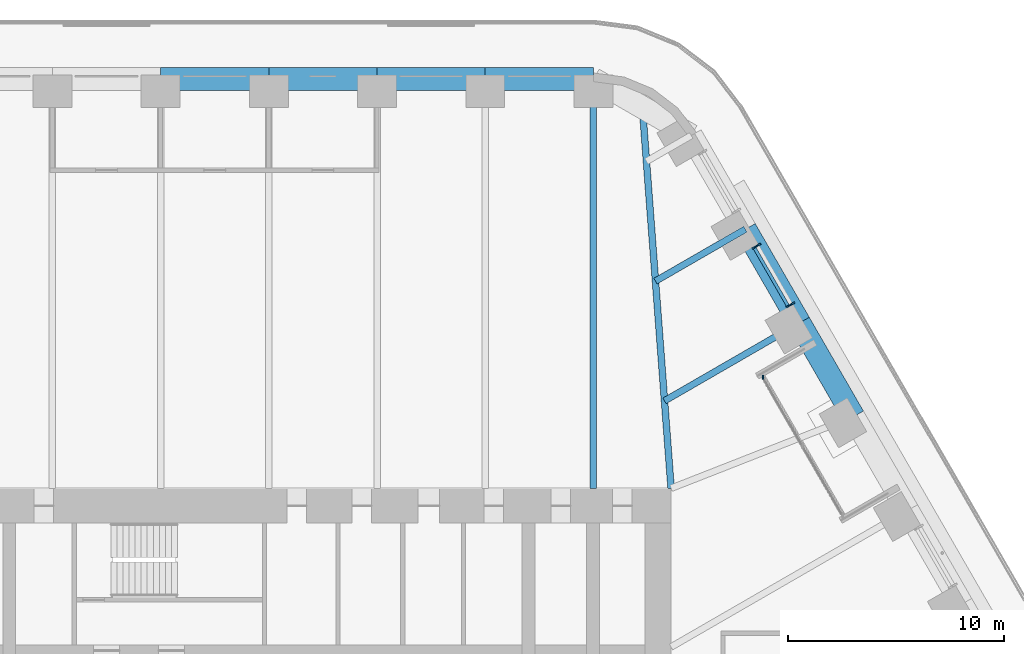
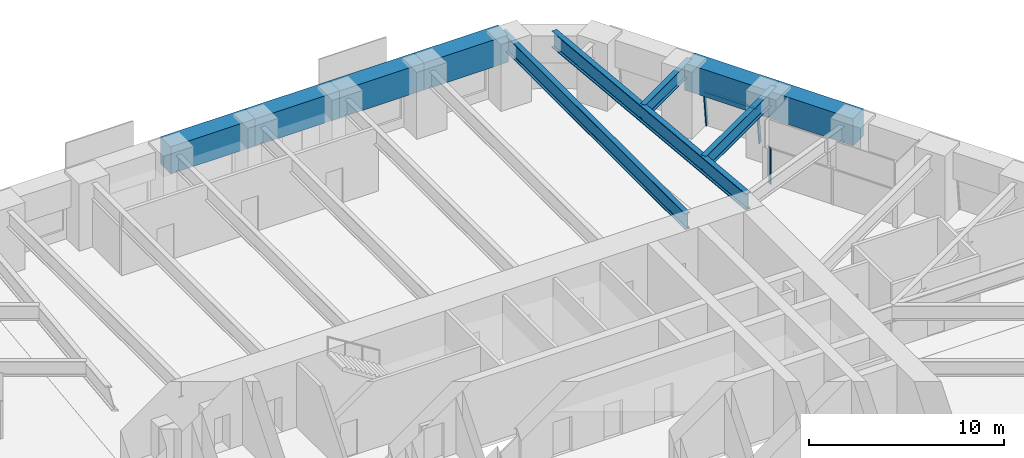
# One storey, part 12 of 24: 10 beams, 4 members, 2 elements without a shape of their own.
"""IFC4 building model written with IfcOpenShell, lengths in metres."""

from ifc_helpers import new_model, si_unit, direction, frame, origin, origin_2d, place, context, subcontext, project, spatial, rectangle, i_section, extrude, material, material_profile, profile_set, type_object, element, aggregate, save


model = new_model("IFC4")

# Units and contexts
model_context = context("Model", 3, precision=1e-05, world=origin(), true_north=direction((0.0, 1.0)))
body_context = subcontext(model_context, "Body", "Model", "MODEL_VIEW")
ifc_project = project(units=[si_unit("LENGTHUNIT", "METRE"), si_unit("AREAUNIT", "SQUARE_METRE"), si_unit("VOLUMEUNIT", "CUBIC_METRE"), si_unit("PLANEANGLEUNIT", "RADIAN"), si_unit("MASSUNIT", "GRAM", prefix="KILO")], contexts=[model_context])

# Site, building, storey
site_placement = place(None, origin())
site = spatial("IfcSite", under=ifc_project, at=site_placement, CompositionType="ELEMENT")
building_placement = place(site_placement, origin())
building = spatial("IfcBuilding", under=site, at=building_placement, Name="Tarfa Lantern Tower", CompositionType="ELEMENT")
storey_placement = place(building_placement, frame((0.0, 0.0, 127.89990234375)))
storey = spatial("IfcBuildingStorey", under=building, at=storey_placement, Name="L28", CompositionType="ELEMENT", Elevation=127.89990234375)

# Curtain wall, members
ifc_material_1 = material(Name="Aluminium framed curtain wall", Category="aluminium")
curtain_wall_type_1 = type_object("IfcCurtainWallType", Name="CW2 CANTED GLAZING MID ZONE 2300", PredefinedType="USERDEFINED", material=ifc_material_1)
curtain_wall_1_placement = place(storey_placement, origin())
curtain_wall_1 = element("IfcCurtainWall", 1, at=curtain_wall_1_placement, inside=storey, type_object=curtain_wall_type_1, Name="CW2 NEB L28", ObjectType="CURTAIN WALL", PredefinedType="USERDEFINED")
ifc_material_2 = material(Name="Aluminium mullion", Category="aluminium")
ifc_material_profile_1 = material_profile(ifc_material_2, rectangle(XDim=0.06494140625, YDim=0.199951171875, at=origin_2d()), Name="AL MULLION 65x200")
ifc_profile_set_1 = profile_set([ifc_material_profile_1], Name="Aluminium mullion")
member_type_1 = type_object("IfcMemberType", Name="CWM1 MULLION 65x200", PredefinedType="MULLION", material=ifc_profile_set_1)
member_1_placement = place(storey_placement, frame((24.22509765625, 20.8408203125, 0.0), z_axis=(-0.093599904765, -0.0540283554, 0.994142844183), x_axis=(0.499919672301, -0.866071776036, 0.0)))
member_1 = element("IfcMember", 2, at=member_1_placement, type_object=member_type_1, Name="CW2 mullion 1", PredefinedType="MULLION", context=body_context, shape_type="SweptSolid", body=[
    extrude(rectangle(XDim=0.06494140625, YDim=0.199951171875, at=origin_2d()), origin(), (0.0, 0.0, 1.0), 2.313720703125),
])
member_2_placement = place(storey_placement, frame((22.65576171875, 23.55908203125, 0.0), z_axis=(-0.093599904765, -0.0540283554, 0.994142844183), x_axis=(0.499919672301, -0.866071776036, 0.0)))
member_2 = element("IfcMember", 3, at=member_2_placement, type_object=member_type_1, Name="CW2 mullion 2", PredefinedType="MULLION", context=body_context, shape_type="SweptSolid", body=[
    extrude(rectangle(XDim=0.06494140625, YDim=0.199951171875, at=origin_2d()), origin(), (0.0, 0.0, 1.0), 2.313720703125),
])

# Curtain wall, member
curtain_wall_type_2 = type_object("IfcCurtainWallType", Name="CW10 LOGGIA GLAZING 2300", PredefinedType="USERDEFINED", material=ifc_material_1)
curtain_wall_2_placement = place(storey_placement, origin())
curtain_wall_2 = element("IfcCurtainWall", 4, at=curtain_wall_2_placement, inside=storey, type_object=curtain_wall_type_2, Name="CW10 NEL L28", ObjectType="CURTAIN WALL", PredefinedType="USERDEFINED")
member_3_placement = place(storey_placement, frame((22.84619140625, 17.429443359375, 0.0), z_axis=(0.0, 0.0, 1.0), x_axis=(1.0, 0.0, 0.0)))
member_3 = element("IfcMember", 5, at=member_3_placement, type_object=member_type_1, Name="CW10 mullion 3", PredefinedType="MULLION", context=body_context, shape_type="SweptSolid", body=[
    extrude(rectangle(XDim=0.06494140625, YDim=0.199951171875, at=origin_2d()), origin(), (0.0, 0.0, 1.0), 2.300048828125),
])
aggregate(curtain_wall_2, [member_3])

# Member
ifc_material_3 = material(Name="Aluminium transom", Category="aluminium")
ifc_material_profile_2 = material_profile(ifc_material_3, rectangle(XDim=0.14990234375, YDim=0.06494140625, at=origin_2d()), Name="AL TRANSOM 150x65")
ifc_profile_set_2 = profile_set([ifc_material_profile_2], Name="Aluminium transom")
member_type_2 = type_object("IfcMemberType", Name="CWT1 TRANSOM 150x65", PredefinedType="USERDEFINED", material=ifc_profile_set_2)
member_4_placement = place(storey_placement, frame((23.995361328125, 20.745849609375, 2.267578125), z_axis=(-0.500008936691, 0.866020244122, 0.0), x_axis=(-0.866020244122, -0.500008936691, 0.0)))
member_4 = element("IfcMember", 6, at=member_4_placement, type_object=member_type_2, Name="CW2 transom 1.2", ObjectType="TRANSOM", PredefinedType="USERDEFINED", context=body_context, shape_type="SweptSolid", body=[
    extrude(rectangle(XDim=0.14990234375, YDim=0.06494140625, at=origin_2d()), origin(), (0.0, 0.0, 1.0), 3.07373046875),
])

aggregate(curtain_wall_1, [member_1, member_2, member_4])

# Beams
ifc_material_4 = material(Name="Concrete C80/95", Category="concrete")
ifc_material_profile_3 = material_profile(ifc_material_4, rectangle(XDim=1.050048828125, YDim=1.699951171875, at=origin_2d()), Name="RC 1050x1700")
ifc_profile_set_3 = profile_set([ifc_material_profile_3], Name="Concrete C80/95")
beam_type_1 = type_object("IfcBeamType", Name="RB2 RC 1050x1700", PredefinedType="BEAM", material=ifc_profile_set_3)
for number, where, z_axis, x_axis, name in (
    (7, (27.037353515625, 15.610107421875, 3.150146484375), (-0.500022324899, 0.866012514114, 0.0), (-0.866012514114, -0.500022324899, 0.0), "Edge beam NE3"),
    (8, (24.535400390625, 19.943359375, 3.150146484375), (-0.49998573051, 0.866033642122, 0.0), (-0.866033642122, -0.49998573051, 0.0), "Edge beam NE4"),
    (9, (15.010986328125, 31.219970703125, 3.150146484375), (-1.0, 0.0, 0.0), (0.0, -1.0, 0.0), "Edge beam N0"),
    (10, (10.00732421875, 31.219970703125, 3.150146484375), (-1.0, 0.0, 0.0), (0.0, -1.0, 0.0), "Edge beam N1"),
    (11, (5.003662109375, 31.219970703125, 3.150146484375), (-1.0, 0.0, 0.0), (0.0, -1.0, 0.0), "Edge beam N2"),
    (12, (0.0, 31.219970703125, 3.150146484375), (-1.0, 0.0, 0.0), (0.0, -1.0, 0.0), "Edge beam N3"),
):
    element("IfcBeam", number, at=place(storey_placement, frame(where, z_axis=z_axis, x_axis=x_axis)), inside=storey, type_object=beam_type_1, Name=name, PredefinedType="BEAM", context=body_context, shape_type="SweptSolid", body=[
        extrude(rectangle(XDim=1.050048828125, YDim=1.699951171875, at=origin_2d()), origin(), (0.0, 0.0, 1.0), 5.003662109375),
    ])
ifc_material_5 = material(Name="Steel S460M", Category="steel")
ifc_material_profile_4 = material_profile(ifc_material_5, i_section(OverallWidth=0.302001953125, OverallDepth=1.008056640625, WebThickness=0.02099609375, FlangeThickness=0.0400390625, FilletRadius=0.030029296875, at=origin_2d()), Name="UB1016x305x349")
ifc_profile_set_4 = profile_set([ifc_material_profile_4], Name="Steel S460M")
beam_type_2 = type_object("IfcBeamType", Name="UB1016x305x349", PredefinedType="BEAM", material=ifc_profile_set_4)
beam_1_placement = place(storey_placement, frame((15.010986328125, 31.219970703125, 3.49609375), z_axis=(0.0, -1.0, 0.0), x_axis=(1.0, 0.0, 0.0)))
element("IfcBeam", 13, at=beam_1_placement, inside=storey, type_object=beam_type_2, Name="Floor beam N0", PredefinedType="BEAM", context=body_context, shape_type="SweptSolid", body=[
    extrude(i_section(OverallWidth=0.302001953125, OverallDepth=1.008056640625, WebThickness=0.02099609375, FlangeThickness=0.0400390625, FilletRadius=0.030029296875, at=origin_2d()), origin(), (0.0, 0.0, 1.0), 18.919921875),
])
ifc_material_profile_5 = material_profile(ifc_material_5, i_section(OverallWidth=0.30859375, OverallDepth=1.036376953125, WebThickness=0.030029296875, FlangeThickness=0.05419921875, FilletRadius=0.030029296875, at=origin_2d()), Name="UB1016x305x487")
ifc_profile_set_5 = profile_set([ifc_material_profile_5], Name="Steel S460M")
beam_type_3 = type_object("IfcBeamType", Name="UB1016x305x487", PredefinedType="BEAM", material=ifc_profile_set_5)
beam_2_placement = place(storey_placement, frame((18.60009765625, 12.300048828125, 3.48193359375), z_axis=(-0.075211516041, 0.99716760269, 0.0), x_axis=(-0.99716760269, -0.075211516041, 0.0)))
element("IfcBeam", 14, at=beam_2_placement, inside=storey, type_object=beam_type_3, Name="Hip girder NE", PredefinedType="BEAM", context=body_context, shape_type="SweptSolid", body=[
    extrude(i_section(OverallWidth=0.30859375, OverallDepth=1.036376953125, WebThickness=0.030029296875, FlangeThickness=0.05419921875, FilletRadius=0.030029296875, at=origin_2d()), origin(), (0.0, 0.0, 1.0), 17.6650390625),
])
ifc_material_profile_6 = material_profile(ifc_material_5, i_section(OverallWidth=0.305419921875, OverallDepth=0.91845703125, WebThickness=0.017333984375, FlangeThickness=0.02783203125, FilletRadius=0.01904296875, at=origin_2d()), Name="UB914x305x253")
ifc_profile_set_6 = profile_set([ifc_material_profile_6], Name="Steel S460M")
beam_type_4 = type_object("IfcBeamType", Name="UB914x305x253", PredefinedType="BEAM", material=ifc_profile_set_6)
beam_3_placement = place(storey_placement, frame((24.535400390625, 19.943359375, 3.541015625), z_axis=(-0.86602647304, -0.499998147991, 0.0), x_axis=(0.499998147991, -0.86602647304, 0.0)))
element("IfcBeam", 15, at=beam_3_placement, inside=storey, type_object=beam_type_4, Name="Floor beam NE4", PredefinedType="BEAM", context=body_context, shape_type="SweptSolid", body=[
    extrude(i_section(OverallWidth=0.305419921875, OverallDepth=0.91845703125, WebThickness=0.017333984375, FlangeThickness=0.02783203125, FilletRadius=0.01904296875, at=origin_2d()), origin(), (0.0, 0.0, 1.0), 7.20556640625),
])
beam_4_placement = place(storey_placement, frame((22.03369140625, 24.276611328125, 3.541015625), z_axis=(-0.866030550462, -0.499991085587, 0.0), x_axis=(0.499991085587, -0.866030550462, 0.0)))
element("IfcBeam", 16, at=beam_4_placement, inside=storey, type_object=beam_type_4, Name="Floor beam NE5", PredefinedType="BEAM", context=body_context, shape_type="SweptSolid", body=[
    extrude(i_section(OverallWidth=0.305419921875, OverallDepth=0.91845703125, WebThickness=0.017333984375, FlangeThickness=0.02783203125, FilletRadius=0.01904296875, at=origin_2d()), origin(), (0.0, 0.0, 1.0), 4.798828125),
])

save(model, "model.ifc")
